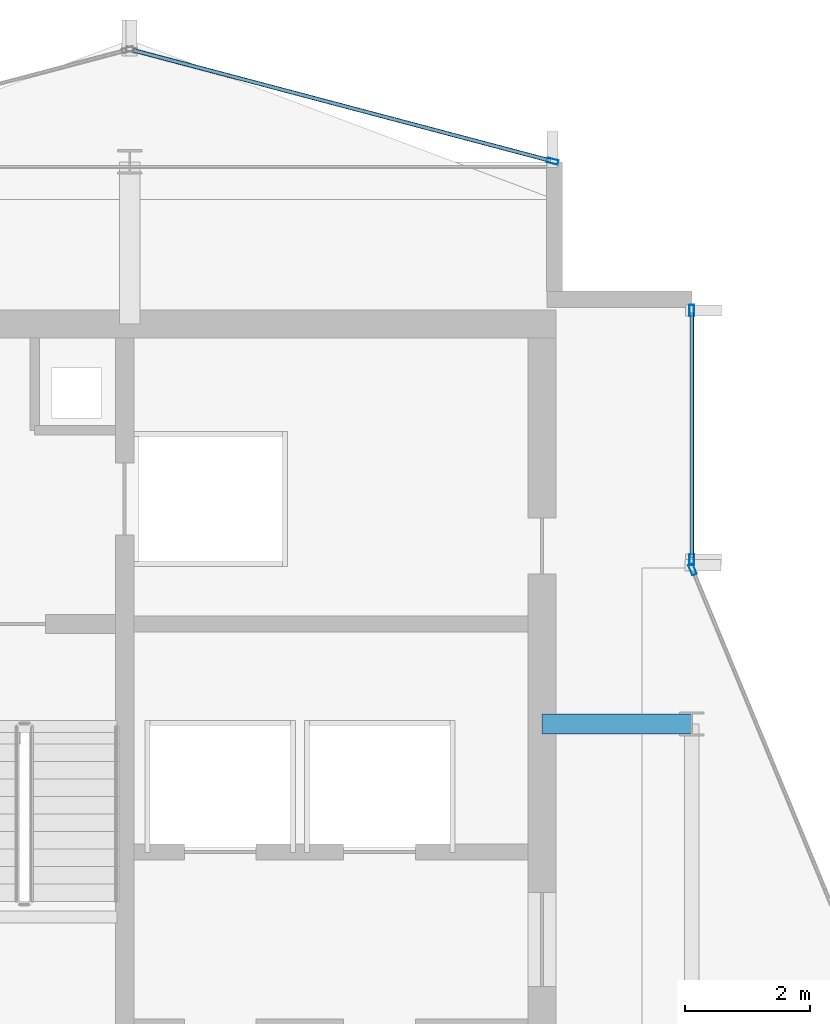
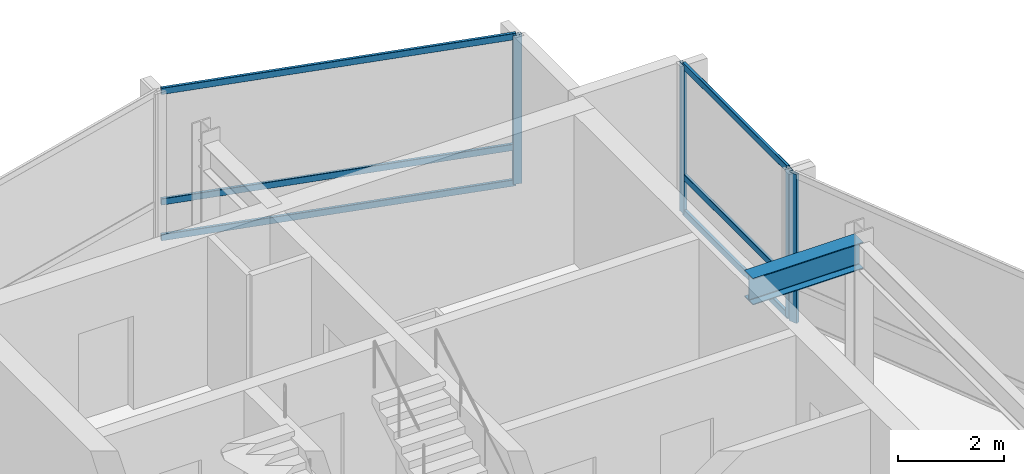
# One storey, part 12 of 19: 10 members, 1 beam, 3 elements without a shape of their own.
"""IFC4 building model written with IfcOpenShell, lengths in metres."""

import ifcopenshell
import ifcopenshell.guid

model = None  # the IFC model being written
_history = None  # IfcOwnerHistory: only IFC2X3 demands one
_inside = {}  # id of a spatial element -> (the spatial element, [elements in it])
_under = {}  # id of a project, library or spatial element -> (it, [spatial elements below it])
_declared = {}  # id of a project -> (the project, [libraries it declares])
_typed = {}  # id of a type object -> (the type object, [elements of that type])
_made_of = {}  # id of a material, layer set ... -> (it, [elements and type objects made of it])


def new_model(schema):
    """Start an empty IFC model of exactly this schema.

    Asked for "IFC4X3", IfcOpenShell would pick the latest addendum, in which some entities
    have other attributes; the version numbers below select the first issue.
    IFC2X3 requires an IfcOwnerHistory on every rooted entity: one is made here for all.
    """
    global model, _history
    if schema == "IFC4X3":
        model = ifcopenshell.file(schema_version=(4, 3, 0, 0))
    else:
        model = ifcopenshell.file(schema=schema)
    _inside.clear()
    _under.clear()
    _declared.clear()
    _typed.clear()
    _made_of.clear()
    _history = None
    if model.schema == "IFC2X3":
        org = make("IfcOrganization", Name="unknown")
        user = make(
            "IfcPersonAndOrganization",
            ThePerson=make("IfcPerson", FamilyName="unknown"),
            TheOrganization=org,
        )
        app = make(
            "IfcApplication",
            ApplicationDeveloper=org,
            Version="unknown",
            ApplicationFullName="unknown",
            ApplicationIdentifier="unknown",
        )
        _history = make(
            "IfcOwnerHistory",
            OwningUser=user,
            OwningApplication=app,
            ChangeAction="ADDED",
            CreationDate=0,
        )
    return model


def make(cls, **values):
    """One entity of the class cls with the attributes given. An attribute that is None is left unset."""
    return model.create_entity(
        cls, **{name: value for name, value in values.items() if value is not None}
    )


def rooted(cls, **values):
    """An entity with a GlobalId (a new one), such as an element, a storey or a relation."""
    return make(cls, GlobalId=ifcopenshell.guid.new(), OwnerHistory=_history, **values)


def si_unit(unit_type, name, prefix=None):
    """IfcSIUnit, for example si_unit("LENGTHUNIT", "METRE", prefix="MILLI")."""
    return make("IfcSIUnit", UnitType=unit_type, Prefix=prefix, Name=name)


def assignment(units):
    """IfcUnitAssignment: the units of a project."""
    return None if units is None else make("IfcUnitAssignment", Units=units)


def point(xyz):
    """IfcCartesianPoint."""
    return None if xyz is None else make("IfcCartesianPoint", Coordinates=xyz)


def direction(xyz):
    """IfcDirection."""
    return None if xyz is None else make("IfcDirection", DirectionRatios=xyz)


def frame(location, z_axis=None, x_axis=None):
    """IfcAxis2Placement3D, a coordinate frame: its origin and axes. An axis left out is left unset."""
    return make(
        "IfcAxis2Placement3D",
        Location=point(location),
        Axis=direction(z_axis),
        RefDirection=direction(x_axis),
    )


def frame_2d(location, x_axis=None):
    """IfcAxis2Placement2D, a coordinate frame in the plane: its origin and x axis."""
    return make(
        "IfcAxis2Placement2D", Location=point(location), RefDirection=direction(x_axis)
    )


def origin():
    """The frame at (0, 0, 0) with its axes left unset."""
    return frame((0.0, 0.0, 0.0))


def origin_2d():
    """The frame at (0, 0) in the plane with its x axis left unset."""
    return frame_2d((0.0, 0.0))


def place(relative_to, where):
    """IfcLocalPlacement: puts the frame where relative to a parent placement (None: the world)."""
    return make(
        "IfcLocalPlacement", PlacementRelTo=relative_to, RelativePlacement=where
    )


def context(
    kind, dimensions, precision=None, world=None, true_north=None, identifier=None
):
    """IfcGeometricRepresentationContext, for example the 3D "Model" context."""
    return make(
        "IfcGeometricRepresentationContext",
        ContextIdentifier=identifier,
        ContextType=kind,
        CoordinateSpaceDimension=dimensions,
        Precision=precision,
        WorldCoordinateSystem=world,
        TrueNorth=true_north,
    )


def subcontext(parent, identifier, kind, view, scale=None):
    """IfcGeometricRepresentationSubContext, for example "Body" below "Model"."""
    return make(
        "IfcGeometricRepresentationSubContext",
        ContextIdentifier=identifier,
        ContextType=kind,
        ParentContext=parent,
        TargetScale=scale,
        TargetView=view,
    )


def project(units=None, contexts=None):
    """IfcProject with its units and contexts."""
    return rooted(
        "IfcProject",
        Name="project",
        RepresentationContexts=contexts,
        UnitsInContext=assignment(units),
    )


def spatial(cls, under=None, at=None, **own):
    """A site, building, storey or space (cls), placed at a placement, below another one or the project."""
    s = rooted(cls, ObjectPlacement=at, **own)
    if under is not None:
        _under.setdefault(under.id(), (under, []))[1].append(s)
    return s


def profile(cls, at=None, kind="AREA", **sizes):
    """A parametric profile (cls). Its sizes go by their IFC names, for example OverallWidth=200.0."""
    return make(cls, ProfileType=kind, Position=at, **sizes)


def hollow_rectangle(**sizes):
    """IfcRectangleHollowProfileDef."""
    return profile("IfcRectangleHollowProfileDef", **sizes)


def i_section(**sizes):
    """IfcIShapeProfileDef."""
    return profile("IfcIShapeProfileDef", **sizes)


def extrude(swept, where, along, depth):
    """IfcExtrudedAreaSolid: the profile swept, set in the frame where, extruded along a direction by depth."""
    return make(
        "IfcExtrudedAreaSolid",
        SweptArea=swept,
        Position=where,
        ExtrudedDirection=direction(along),
        Depth=depth,
    )


def shape(context_of_items, identifier, shape_type, items):
    """IfcShapeRepresentation: the items that make up one representation, for example the "Body"."""
    return make(
        "IfcShapeRepresentation",
        ContextOfItems=context_of_items,
        RepresentationIdentifier=identifier,
        RepresentationType=shape_type,
        Items=items,
    )


def material(Name=None, Category=None):
    """IfcMaterial."""
    return make("IfcMaterial", Name=Name, Category=Category)


def layer(
    of_material, thickness, ventilated=None, Name=None, Category=None, Priority=None
):
    """IfcMaterialLayer: one layer of a wall or slab, of a material (None: an air gap)."""
    return make(
        "IfcMaterialLayer",
        Material=of_material,
        LayerThickness=thickness,
        IsVentilated=ventilated,
        Name=Name,
        Category=Category,
        Priority=Priority,
    )


def layer_set(layers, Name=None):
    """IfcMaterialLayerSet."""
    return make("IfcMaterialLayerSet", MaterialLayers=layers, LayerSetName=Name)


def material_profile(
    of_material, cross_section, Name=None, Category=None, Priority=None
):
    """IfcMaterialProfile: a cross section and its material."""
    return make(
        "IfcMaterialProfile",
        Name=Name,
        Material=of_material,
        Profile=cross_section,
        Priority=Priority,
        Category=Category,
    )


def profile_set(profiles, Name=None, composite=None):
    """IfcMaterialProfileSet."""
    return make(
        "IfcMaterialProfileSet",
        Name=Name,
        MaterialProfiles=profiles,
        CompositeProfile=composite,
    )


def made_of(thing, what):
    """Note that an element or type object is made of a material, layer set ...; save() writes the relation."""
    if what is not None:
        _made_of.setdefault(what.id(), (what, []))[1].append(thing)
    return thing


def type_object(cls, material=None, **own):
    """A type object (cls), such as IfcWallType, which elements share."""
    return made_of(rooted(cls, **own), material)


def element(
    cls,
    number,
    at=None,
    inside=None,
    cuts=None,
    type_object=None,
    material=None,
    context=None,
    identifier="Body",
    shape_type=None,
    held_by="IfcProductDefinitionShape",
    body=None,
    shapes=None,
    **own,
):
    """One element of the class cls, such as IfcWall. Its Tag is "e" and its number.

    at: its placement. inside: the storey or other place that contains it. cuts: it is an
    opening in that element (IfcRelVoidsElement). A single representation is given by context,
    identifier, shape_type and body (its items); several are given by shapes. held_by: the class
    of the entity that holds the representations. save() writes the other relations.
    """
    e = rooted(cls, Tag="e%d" % number, ObjectPlacement=at, **own)
    if body is not None:
        shapes = [shape(context, identifier, shape_type, body)]
    if shapes is not None:
        e.Representation = make(held_by, Representations=shapes)
    if inside is not None:
        _inside.setdefault(inside.id(), (inside, []))[1].append(e)
    if cuts is not None:
        rooted(
            "IfcRelVoidsElement", RelatingBuildingElement=cuts, RelatedOpeningElement=e
        )
    if type_object is not None:
        _typed.setdefault(type_object.id(), (type_object, []))[1].append(e)
    return made_of(e, material)


def aggregate(whole, parts):
    """IfcRelAggregates: a whole, such as a stair, and the parts it consists of."""
    return rooted("IfcRelAggregates", RelatingObject=whole, RelatedObjects=parts)


def save(model, path):
    """Write the relations noted so far, then the file.

    IfcRelAggregates (storeys below a building ...), IfcRelContainedInSpatialStructure (elements
    in a storey), IfcRelDefinesByType, IfcRelAssociatesMaterial and IfcRelDeclares: one each for
    every whole, place, type object, material and project.
    """
    for whole, parts in _under.values():
        aggregate(whole, parts)
    for where, things in _inside.values():
        rooted(
            "IfcRelContainedInSpatialStructure",
            RelatedElements=things,
            RelatingStructure=where,
        )
    for kind, things in _typed.values():
        rooted("IfcRelDefinesByType", RelatedObjects=things, RelatingType=kind)
    for what, things in _made_of.values():
        rooted("IfcRelAssociatesMaterial", RelatedObjects=things, RelatingMaterial=what)
    for by, libraries in _declared.values():
        rooted("IfcRelDeclares", RelatingContext=by, RelatedDefinitions=libraries)
    model.write(path)


model = new_model("IFC4")

# Units and contexts
model_context = context("Model", 3, precision=1e-05, world=origin(), true_north=direction((0.0, 1.0)))
body_context = subcontext(model_context, "Body", "Model", "MODEL_VIEW")
ifc_project = project(units=[si_unit("LENGTHUNIT", "METRE"), si_unit("AREAUNIT", "SQUARE_METRE"), si_unit("VOLUMEUNIT", "CUBIC_METRE"), si_unit("PLANEANGLEUNIT", "RADIAN"), si_unit("MASSUNIT", "GRAM", prefix="KILO")], contexts=[model_context])

# Site, building, storey
site_placement = place(None, origin())
site = spatial("IfcSite", under=ifc_project, at=site_placement, CompositionType="ELEMENT")
building_placement = place(site_placement, origin())
building = spatial("IfcBuilding", under=site, at=building_placement, Name="Solvaryn Broadcast Tower", CompositionType="ELEMENT")
storey_placement = place(building_placement, frame((0.0, 0.0, 255.60009765625)))
storey = spatial("IfcBuildingStorey", under=building, at=storey_placement, Name="L64", CompositionType="ELEMENT", Elevation=255.60009765625)

# Beam
ifc_material_1 = material(Name="Steel ASTM A992 Grade 50", Category="steel")
ifc_material_profile_1 = material_profile(ifc_material_1, i_section(OverallWidth=0.323974609375, OverallDepth=0.611083984375, WebThickness=0.0126953125, FlangeThickness=0.01904296875, FilletRadius=0.014892578125, at=origin_2d()))
ifc_profile_set_1 = profile_set([ifc_material_profile_1], Name="Steel ASTM A992 Grade 50")
beam_type = type_object("IfcBeamType", Name="BM-B1-W24X104", PredefinedType="BEAM", material=ifc_profile_set_1)
beam_placement = place(storey_placement, frame((24.60009765625, 36.0, 3.114501953125), z_axis=(1.0, 0.0, 0.0), x_axis=(0.0, 1.0, 0.0)))
element("IfcBeam", 1, at=beam_placement, inside=storey, type_object=beam_type, Name="L64 Core Tie Beam CTW2", PredefinedType="BEAM", context=body_context, shape_type="SweptSolid", body=[
    extrude(i_section(OverallWidth=0.323974609375, OverallDepth=0.611083984375, WebThickness=0.0126953125, FlangeThickness=0.01904296875, FilletRadius=0.014892578125, at=origin_2d()), origin(), (0.0, 0.0, 1.0), 2.39990234375),
])

# Curtain wall, members
ifc_material_2 = material(Name="Aluminium and Terracotta Unitised Curtain Wall", Category="masonry")
ifc_layer = layer(ifc_material_2, 0.199951171875)
ifc_layer_set = layer_set([ifc_layer], Name="CW-SYS2-LOWMID")
curtain_wall_type = type_object("IfcCurtainWallType", Name="CW-SYS2-LOWMID", PredefinedType="NOTDEFINED", material=ifc_layer_set)
curtain_wall_1_placement = place(storey_placement, origin())
curtain_wall_1 = element("IfcCurtainWall", 2, at=curtain_wall_1_placement, inside=storey, type_object=curtain_wall_type, Name="L64 Curtain Wall IV", PredefinedType="NOTDEFINED")
ifc_material_3 = material(Name="Anodised Aluminium 6063-T6", Category="aluminium")
ifc_material_profile_2 = material_profile(ifc_material_3, hollow_rectangle(XDim=0.074951171875, YDim=0.179931640625, WallThickness=0.00390625, InnerFilletRadius=0.00390625, OuterFilletRadius=0.008056640625, at=origin_2d()))
ifc_profile_set_2 = profile_set([ifc_material_profile_2], Name="Anodised Aluminium 6063-T6")
member_type_1 = type_object("IfcMemberType", Name="CW-MUL-180", PredefinedType="MULLION", material=ifc_profile_set_2)
member_1_placement = place(storey_placement, frame((27.0, 42.6201171875, 0.0), z_axis=(0.0, 0.0, 1.0), x_axis=(1.0, 0.0, 0.0)))
member_1 = element("IfcMember", 3, at=member_1_placement, type_object=member_type_1, Name="CWS2 mullion 1", PredefinedType="MULLION", context=body_context, shape_type="SweptSolid", body=[
    extrude(hollow_rectangle(XDim=0.074951171875, YDim=0.179931640625, WallThickness=0.00390625, InnerFilletRadius=0.00390625, OuterFilletRadius=0.008056640625, at=origin_2d()), origin(), (0.0, 0.0, 1.0), 3.419921875),
])
member_2_placement = place(storey_placement, frame((27.0, 38.6298828125, 0.0), z_axis=(0.0, 0.0, 1.0), x_axis=(1.0, 0.0, 0.0)))
member_2 = element("IfcMember", 4, at=member_2_placement, type_object=member_type_1, Name="CWS2 mullion 2", PredefinedType="MULLION", context=body_context, shape_type="SweptSolid", body=[
    extrude(hollow_rectangle(XDim=0.074951171875, YDim=0.179931640625, WallThickness=0.00390625, InnerFilletRadius=0.00390625, OuterFilletRadius=0.008056640625, at=origin_2d()), origin(), (0.0, 0.0, 1.0), 3.419921875),
])

# Curtain wall, member
curtain_wall_2_placement = place(storey_placement, origin())
curtain_wall_2 = element("IfcCurtainWall", 5, at=curtain_wall_2_placement, inside=storey, type_object=curtain_wall_type, Name="L64 Curtain Wall CN2", PredefinedType="NOTDEFINED")
member_3_placement = place(storey_placement, frame((27.011474609375, 38.47216796875, 0.0), z_axis=(0.0, 0.0, 1.0), x_axis=(-0.923894983957, -0.382646127145, 0.0)))
member_3 = element("IfcMember", 6, at=member_3_placement, type_object=member_type_1, Name="CWS2 mullion 2", PredefinedType="MULLION", context=body_context, shape_type="SweptSolid", body=[
    extrude(hollow_rectangle(XDim=0.074951171875, YDim=0.179931640625, WallThickness=0.00390625, InnerFilletRadius=0.00390625, OuterFilletRadius=0.008056640625, at=origin_2d()), origin(), (0.0, 0.0, 1.0), 3.419921875),
])
aggregate(curtain_wall_2, [member_3])

curtain_wall_3_placement = place(storey_placement, origin())
curtain_wall_3 = element("IfcCurtainWall", 7, at=curtain_wall_3_placement, inside=storey, type_object=curtain_wall_type, Name="L64 Curtain Wall NT1", PredefinedType="NOTDEFINED")
member_4_placement = place(storey_placement, frame((24.77099609375, 45.007568359375, 0.0), z_axis=(0.0, 0.0, 1.0), x_axis=(-0.25589256031, -0.966705227863, 0.0)))
member_4 = element("IfcMember", 8, at=member_4_placement, type_object=member_type_1, Name="CWS2 mullion 1", PredefinedType="MULLION", context=body_context, shape_type="SweptSolid", body=[
    extrude(hollow_rectangle(XDim=0.074951171875, YDim=0.179931640625, WallThickness=0.00390625, InnerFilletRadius=0.00390625, OuterFilletRadius=0.008056640625, at=origin_2d()), origin(), (0.0, 0.0, 1.0), 3.419921875),
])

# Member
ifc_material_4 = material(Name="Anodised Aluminium 6063-T6", Category="aluminium")
ifc_material_profile_3 = material_profile(ifc_material_4, hollow_rectangle(XDim=0.06494140625, YDim=0.14990234375, WallThickness=0.00390625, InnerFilletRadius=0.00390625, OuterFilletRadius=0.008056640625, at=origin_2d()))
ifc_profile_set_3 = profile_set([ifc_material_profile_3], Name="Anodised Aluminium 6063-T6")
member_type_2 = type_object("IfcMemberType", Name="CW-TRN-150", PredefinedType="USERDEFINED", material=ifc_profile_set_3)
member_5_placement = place(storey_placement, frame((27.0, 42.590087890625, 0.02978515625), z_axis=(0.0, -1.0, 0.0), x_axis=(1.0, 0.0, 0.0)))
member_5 = element("IfcMember", 9, at=member_5_placement, type_object=member_type_2, Name="CWS2 transom 1.1", ObjectType="TRANSOM", PredefinedType="USERDEFINED", context=body_context, shape_type="SweptSolid", body=[
    extrude(hollow_rectangle(XDim=0.06494140625, YDim=0.14990234375, WallThickness=0.00390625, InnerFilletRadius=0.00390625, OuterFilletRadius=0.008056640625, at=origin_2d()), origin(), (0.0, 0.0, 1.0), 3.93017578125),
])

member_6_placement = place(storey_placement, frame((27.0, 42.590087890625, 0.849853515625), z_axis=(0.0, -1.0, 0.0), x_axis=(1.0, 0.0, 0.0)))
member_6 = element("IfcMember", 10, at=member_6_placement, type_object=member_type_2, Name="CWS2 transom 1.2", ObjectType="TRANSOM", PredefinedType="USERDEFINED", context=body_context, shape_type="SweptSolid", body=[
    extrude(hollow_rectangle(XDim=0.06494140625, YDim=0.14990234375, WallThickness=0.00390625, InnerFilletRadius=0.00390625, OuterFilletRadius=0.008056640625, at=origin_2d()), origin(), (0.0, 0.0, 1.0), 3.93017578125),
])

member_7_placement = place(storey_placement, frame((27.0, 42.590087890625, 3.389892578125), z_axis=(0.0, -1.0, 0.0), x_axis=(1.0, 0.0, 0.0)))
member_7 = element("IfcMember", 11, at=member_7_placement, type_object=member_type_2, Name="CWS2 transom 1.3", ObjectType="TRANSOM", PredefinedType="USERDEFINED", context=body_context, shape_type="SweptSolid", body=[
    extrude(hollow_rectangle(XDim=0.06494140625, YDim=0.14990234375, WallThickness=0.00390625, InnerFilletRadius=0.00390625, OuterFilletRadius=0.008056640625, at=origin_2d()), origin(), (0.0, 0.0, 1.0), 3.93017578125),
])

aggregate(curtain_wall_1, [member_1, member_2, member_5, member_6, member_7])

member_8_placement = place(storey_placement, frame((24.741943359375, 45.015380859375, 0.02978515625), z_axis=(-0.966703943301, 0.255897413051, 0.0), x_axis=(-0.255897413051, -0.966703943301, 0.0)))
member_8 = element("IfcMember", 12, at=member_8_placement, type_object=member_type_2, Name="CWS2 transom 1.1", ObjectType="TRANSOM", PredefinedType="USERDEFINED", context=body_context, shape_type="SweptSolid", body=[
    extrude(hollow_rectangle(XDim=0.06494140625, YDim=0.14990234375, WallThickness=0.00390625, InnerFilletRadius=0.00390625, OuterFilletRadius=0.008056640625, at=origin_2d()), origin(), (0.0, 0.0, 1.0), 6.9140625),
])

member_9_placement = place(storey_placement, frame((24.741943359375, 45.015380859375, 0.849853515625), z_axis=(-0.966703943301, 0.255897413051, 0.0), x_axis=(-0.255897413051, -0.966703943301, 0.0)))
member_9 = element("IfcMember", 13, at=member_9_placement, type_object=member_type_2, Name="CWS2 transom 1.2", ObjectType="TRANSOM", PredefinedType="USERDEFINED", context=body_context, shape_type="SweptSolid", body=[
    extrude(hollow_rectangle(XDim=0.06494140625, YDim=0.14990234375, WallThickness=0.00390625, InnerFilletRadius=0.00390625, OuterFilletRadius=0.008056640625, at=origin_2d()), origin(), (0.0, 0.0, 1.0), 6.9140625),
])

member_10_placement = place(storey_placement, frame((24.741943359375, 45.015380859375, 3.389892578125), z_axis=(-0.966703943301, 0.255897413051, 0.0), x_axis=(-0.255897413051, -0.966703943301, 0.0)))
member_10 = element("IfcMember", 14, at=member_10_placement, type_object=member_type_2, Name="CWS2 transom 1.3", ObjectType="TRANSOM", PredefinedType="USERDEFINED", context=body_context, shape_type="SweptSolid", body=[
    extrude(hollow_rectangle(XDim=0.06494140625, YDim=0.14990234375, WallThickness=0.00390625, InnerFilletRadius=0.00390625, OuterFilletRadius=0.008056640625, at=origin_2d()), origin(), (0.0, 0.0, 1.0), 6.9140625),
])

aggregate(curtain_wall_3, [member_4, member_8, member_9, member_10])

save(model, "model.ifc")
